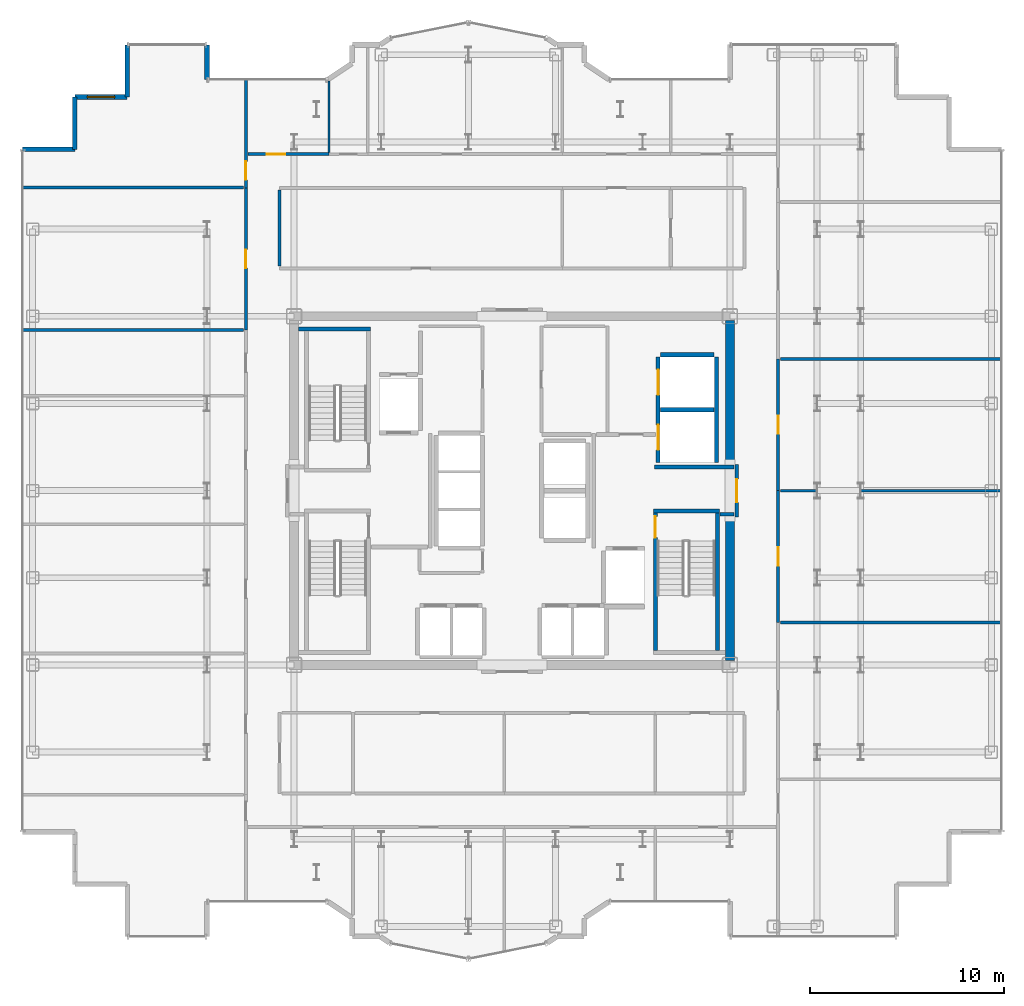
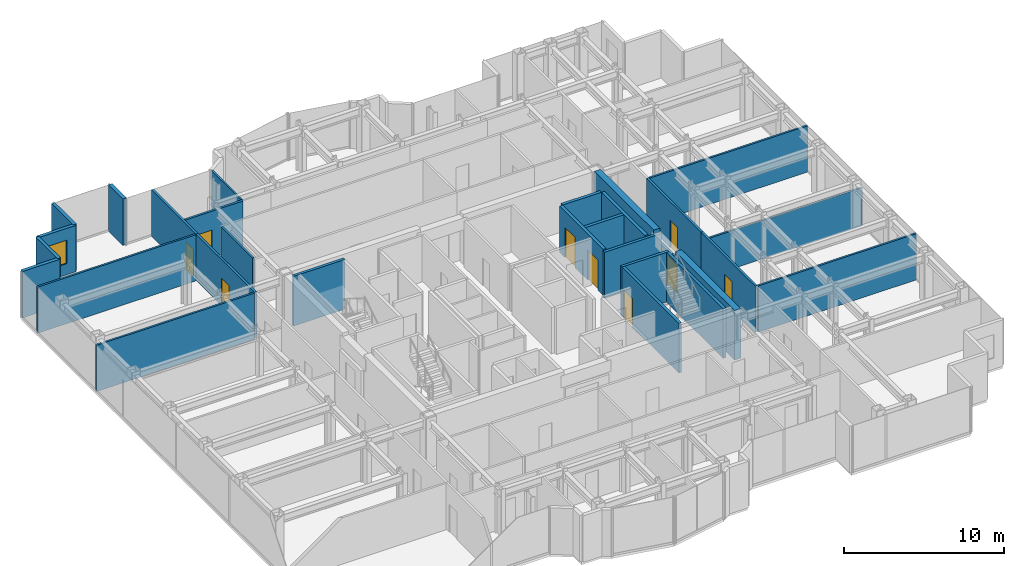
# One storey, part 17 of 20: 30 walls, 9 doors, 1 window, 10 openings.
"""IFC4 building model written with IfcOpenShell, lengths in metres."""

from ifc_helpers import new_model, si_unit, direction, frame, frame_2d, origin, place, context, subcontext, project, spatial, rectangle, extrude, source, transform, mapped, material, layer, layer_set, type_object, element, fill, save


model = new_model("IFC4")

# Units and contexts
model_context = context("Model", 3, precision=1e-05, world=origin(), true_north=direction((0.0, 1.0)))
body_context = subcontext(model_context, "Body", "Model", "MODEL_VIEW")
ifc_project = project(units=[si_unit("LENGTHUNIT", "METRE"), si_unit("AREAUNIT", "SQUARE_METRE"), si_unit("VOLUMEUNIT", "CUBIC_METRE"), si_unit("PLANEANGLEUNIT", "RADIAN"), si_unit("MASSUNIT", "GRAM", prefix="KILO")], contexts=[model_context])

# Site, building, storey
site_placement = place(None, origin())
site = spatial("IfcSite", under=ifc_project, at=site_placement, CompositionType="ELEMENT")
building_placement = place(site_placement, origin())
building = spatial("IfcBuilding", under=site, at=building_placement, Name="Nefas-Gora Pilgrimage Tower", CompositionType="ELEMENT")
storey_placement = place(building_placement, frame((0.0, 0.0, 214.199951171875)))
storey = spatial("IfcBuildingStorey", under=building, at=storey_placement, Name="L53", CompositionType="ELEMENT", Elevation=214.199951171875)

# Walls
ifc_material_1 = material(Name="Concrete C50/60", Category="concrete")
ifc_layer_1 = layer(ifc_material_1, 0.449951171875)
ifc_layer_set_1 = layer_set([ifc_layer_1], Name="Concrete C50/60")
wall_type_1 = type_object("IfcWallType", Name="SW-CORE-450", PredefinedType="SHEAR", material=ifc_layer_set_1)
shared_shape_1 = source(origin(), body_context, "Body", "SweptSolid", [
    extrude(rectangle(XDim=7.4248046875, YDim=0.449951171875, at=frame_2d((3.71240234375, 0.0))), origin(), (0.0, 0.0, 1.0), 3.800048828125),
])
for number, where, z_axis, x_axis, name in (
    (1, (11.25, -8.77490234375, 0.0), (0.0, 0.0, 1.0), (0.0, 1.0, 0.0), "L53 Core Shear Wall E-South"),
    (2, (11.25, 1.35009765625, 0.0), (0.0, 0.0, 1.0), (0.0, 1.0, 0.0), "L53 Core Shear Wall E-North"),
):
    element("IfcWall", number, at=place(storey_placement, frame(where, z_axis=z_axis, x_axis=x_axis)), inside=storey, type_object=wall_type_1, Name=name, PredefinedType="SHEAR", context=body_context, shape_type="MappedRepresentation", body=[
        mapped(shared_shape_1, transform((0.0, 0.0, 0.0), x_axis=(1.0, 0.0, 0.0), y_axis=(0.0, 1.0, 0.0), z_axis=(0.0, 0.0, 1.0), scale=1.0)),
    ])
ifc_material_2 = material(Name="Precast concrete C40/50", Category="concrete")
ifc_layer_2 = layer(ifc_material_2, 0.260009765625)
ifc_layer_set_2 = layer_set([ifc_layer_2], Name="Precast concrete C40/50")
wall_type_2 = type_object("IfcWallType", Name="EW-PORTAL-260", PredefinedType="SOLIDWALL", material=ifc_layer_set_2)
shared_shape_2 = source(origin(), body_context, "Body", "SweptSolid", [
    extrude(rectangle(XDim=1.800048828125, YDim=0.260009765625, at=frame_2d((0.89990234375, 0.0))), origin(), (0.0, 0.0, 1.0), 3.550048828125),
])
wall_1_placement = place(storey_placement, frame((-15.75, 21.219970703125, 0.0), z_axis=(0.0, 0.0, 1.0), x_axis=(0.0, 1.0, 0.0)))
element("IfcWall", 3, at=wall_1_placement, inside=storey, type_object=wall_type_2, Name="L53 Lobe Shoulder Precast Spandrel Pier 19", PredefinedType="SOLIDWALL", context=body_context, shape_type="MappedRepresentation", body=[
    mapped(shared_shape_2, transform((0.0, 0.0, 0.0), x_axis=(1.0, 0.0, 0.0), y_axis=(0.0, 1.0, 0.0), z_axis=(0.0, 0.0, 1.0), scale=1.0)),
])
ifc_material_3 = material(Name="Precast concrete C45/55", Category="concrete")
ifc_layer_3 = layer(ifc_material_3, 0.239990234375)
ifc_layer_set_3 = layer_set([ifc_layer_3], Name="Precast concrete C45/55")
wall_type_3 = type_object("IfcWallType", Name="EW-SERR-240", PredefinedType="SHEAR", material=ifc_layer_set_3)
shared_shape_3 = source(origin(), body_context, "Body", "SweptSolid", [
    extrude(rectangle(XDim=2.699951171875, YDim=0.239990234375, at=frame_2d((1.35009765625, 0.0))), origin(), (0.0, 0.0, 1.0), 3.550048828125),
])
wall_2_placement = place(storey_placement, frame((-19.8701171875, 23.02001953125, 0.0), z_axis=(0.0, 0.0, 1.0), x_axis=(0.0, -1.0, 0.0)))
element("IfcWall", 4, at=wall_2_placement, inside=storey, type_object=wall_type_3, Name="L53 Serrated Corner Shear Pier Wall 20", PredefinedType="SHEAR", context=body_context, shape_type="MappedRepresentation", body=[
    mapped(shared_shape_3, transform((0.0, 0.0, 0.0), x_axis=(1.0, 0.0, 0.0), y_axis=(0.0, 1.0, 0.0), z_axis=(0.0, 0.0, 1.0), scale=1.0)),
])

# Wall, opening, window
wall_3_placement = place(storey_placement, frame((-19.8701171875, 20.320068359375, 0.0), z_axis=(0.0, 0.0, 1.0), x_axis=(-1.0, 0.0, 0.0)))
wall_3 = element("IfcWall", 5, at=wall_3_placement, inside=storey, type_object=wall_type_3, Name="L53 Serrated Corner Shear Pier Wall 21", PredefinedType="SHEAR", context=body_context, shape_type="MappedRepresentation", body=[
    mapped(shared_shape_3, transform((0.0, 0.0, 0.0), x_axis=(1.0, 0.0, 0.0), y_axis=(0.0, 1.0, 0.0), z_axis=(0.0, 0.0, 1.0), scale=1.0)),
])
opening_1_placement = place(wall_3_placement, frame((0.64990234375, 0.0, 0.85009765625)))
opening_1 = element("IfcOpeningElement", 6, at=opening_1_placement, cuts=wall_3, Name="Opening W-V2", PredefinedType="OPENING", context=body_context, shape_type="SweptSolid", body=[
    extrude(rectangle(XDim=1.39990234375, YDim=1.800048828125, at=frame_2d((0.699951171875, 0.89990234375))), frame((0.0, 0.1298828125, 0.0), z_axis=(0.0, -1.0, 0.0), x_axis=(1.0, 0.0, 0.0)), (0.0, 0.0, 1.0), 0.260009765625),
])
ifc_material_4 = material(Name="Dark ceramic-fritted operable aluminium-glass window", Category="aluminium")
window_type = type_object("IfcWindowType", Name="WIN-VENT-1400x1800", PartitioningType="SINGLE_PANEL", PredefinedType="WINDOW", material=ifc_material_4)
shared_shape_4 = source(origin(), body_context, "Body", "SweptSolid", [
    extrude(rectangle(XDim=1.39990234375, YDim=1.800048828125, at=frame_2d((0.699951171875, 0.89990234375))), frame((0.0, 0.030029296875, 0.0), z_axis=(0.0, -1.0, 0.0), x_axis=(1.0, 0.0, 0.0)), (0.0, 0.0, 1.0), 0.06005859375),
])
window_placement = place(opening_1_placement, origin())
window = element("IfcWindow", 7, at=window_placement, inside=storey, type_object=window_type, Name="L53 Operable Parallel-Outswing Window 21", OverallHeight=1.800048828125, OverallWidth=1.39990234375, PartitioningType="SINGLE_PANEL", PredefinedType="WINDOW", context=body_context, shape_type="MappedRepresentation", body=[
    mapped(shared_shape_4, transform((0.0, 0.0, 0.0), x_axis=(1.0, 0.0, 0.0), y_axis=(0.0, 1.0, 0.0), z_axis=(0.0, 0.0, 1.0), scale=1.0)),
])
fill(opening_1, window)

# Walls
for number, where, z_axis, x_axis, name in (
    (8, (-22.570068359375, 20.320068359375, 0.0), (0.0, 0.0, 1.0), (0.0, -1.0, 0.0), "L53 Serrated Corner Shear Pier Wall 22"),
    (9, (-22.570068359375, 17.6201171875, 0.0), (0.0, 0.0, 1.0), (-1.0, 0.0, 0.0), "L53 Serrated Corner Shear Pier Wall 23"),
):
    element("IfcWall", number, at=place(storey_placement, frame(where, z_axis=z_axis, x_axis=x_axis)), inside=storey, type_object=wall_type_3, Name=name, PredefinedType="SHEAR", context=body_context, shape_type="MappedRepresentation", body=[
        mapped(shared_shape_3, transform((0.0, 0.0, 0.0), x_axis=(1.0, 0.0, 0.0), y_axis=(0.0, 1.0, 0.0), z_axis=(0.0, 0.0, 1.0), scale=1.0)),
    ])
ifc_material_5 = material(Name="Concrete C45/55", Category="concrete")
ifc_layer_4 = layer(ifc_material_5, 0.199951171875)
ifc_layer_set_4 = layer_set([ifc_layer_4], Name="Concrete C45/55")
wall_type_4 = type_object("IfcWallType", Name="IW-STAIR-200", PredefinedType="SOLIDWALL", material=ifc_layer_set_4)
shared_shape_5 = source(origin(), body_context, "Body", "SweptSolid", [
    extrude(rectangle(XDim=3.39990234375, YDim=0.199951171875, at=frame_2d((1.699951171875, 0.0))), origin(), (0.0, 0.0, 1.0), 3.800048828125),
])
wall_4_placement = place(storey_placement, frame((7.300048828125, -1.050048828125, 0.0), z_axis=(0.0, 0.0, 1.0), x_axis=(1.0, 0.0, 0.0)))
element("IfcWall", 10, at=wall_4_placement, inside=storey, type_object=wall_type_4, Name="L53 Stairwell Shear Wall ST-02-near", PredefinedType="SOLIDWALL", context=body_context, shape_type="MappedRepresentation", body=[
    mapped(shared_shape_5, transform((0.0, 0.0, 0.0), x_axis=(1.0, 0.0, 0.0), y_axis=(0.0, 1.0, 0.0), z_axis=(0.0, 0.0, 1.0), scale=1.0)),
])

# Wall, opening, door
shared_shape_6 = source(origin(), body_context, "Body", "SweptSolid", [
    extrude(rectangle(XDim=7.10009765625, YDim=0.199951171875, at=frame_2d((3.550048828125, 0.0))), origin(), (0.0, 0.0, 1.0), 3.800048828125),
])
wall_5_placement = place(storey_placement, frame((7.39990234375, -1.14990234375, 0.0), z_axis=(0.0, 0.0, 1.0), x_axis=(0.0, -1.0, 0.0)))
wall_5 = element("IfcWall", 11, at=wall_5_placement, inside=storey, type_object=wall_type_4, Name="L53 Stairwell Shear Wall ST-02-left", PredefinedType="SOLIDWALL", context=body_context, shape_type="MappedRepresentation", body=[
    mapped(shared_shape_6, transform((0.0, 0.0, 0.0), x_axis=(1.0, 0.0, 0.0), y_axis=(0.0, 1.0, 0.0), z_axis=(0.0, 0.0, 1.0), scale=1.0)),
])
opening_2_placement = place(wall_5_placement, frame((0.179931640625, 0.0, 0.0)))
opening_2 = element("IfcOpeningElement", 12, at=opening_2_placement, cuts=wall_5, Name="Opening ID-ST1", PredefinedType="OPENING", context=body_context, shape_type="SweptSolid", body=[
    extrude(rectangle(XDim=1.10009765625, YDim=2.14990234375, at=frame_2d((0.550048828125, 1.074951171875))), frame((0.0, 0.10986328125, 0.0), z_axis=(0.0, -1.0, 0.0), x_axis=(1.0, 0.0, 0.0)), (0.0, 0.0, 1.0), 0.219970703125),
])
ifc_material_6 = material(Name="Painted galvanised steel fire stair door", Category="steel")
door_type_1 = type_object("IfcDoorType", Name="DR-INT-STAIR-1100", OperationType="NOTDEFINED", PredefinedType="DOOR", material=ifc_material_6)
shared_shape_7 = source(origin(), body_context, "Body", "SweptSolid", [
    extrude(rectangle(XDim=1.10009765625, YDim=2.14990234375, at=frame_2d((0.550048828125, 1.074951171875))), frame((0.0, 0.02490234375, 0.0), z_axis=(0.0, -1.0, 0.0), x_axis=(1.0, 0.0, 0.0)), (0.0, 0.0, 1.0), 0.050048828125),
])
door_1_placement = place(opening_2_placement, origin())
door_1 = element("IfcDoor", 13, at=door_1_placement, inside=storey, type_object=door_type_1, Name="L53 Protected Exit Stair Door ST-02", OperationType="SINGLE_SWING_RIGHT", OverallHeight=2.14990234375, OverallWidth=1.10009765625, PredefinedType="DOOR", context=body_context, shape_type="MappedRepresentation", body=[
    mapped(shared_shape_7, transform((0.0, 0.0, 0.0), x_axis=(1.0, 0.0, 0.0), y_axis=(0.0, 1.0, 0.0), z_axis=(0.0, 0.0, 1.0), scale=1.0)),
])
fill(opening_2, door_1)

# Walls
wall_6_placement = place(storey_placement, frame((10.60009765625, -1.14990234375, 0.0), z_axis=(0.0, 0.0, 1.0), x_axis=(0.0, -1.0, 0.0)))
element("IfcWall", 14, at=wall_6_placement, inside=storey, type_object=wall_type_4, Name="L53 Stairwell Shear Wall ST-02-right", PredefinedType="SOLIDWALL", context=body_context, shape_type="MappedRepresentation", body=[
    mapped(shared_shape_6, transform((0.0, 0.0, 0.0), x_axis=(1.0, 0.0, 0.0), y_axis=(0.0, 1.0, 0.0), z_axis=(0.0, 0.0, 1.0), scale=1.0)),
])
shared_shape_8 = source(origin(), body_context, "Body", "SweptSolid", [
    extrude(rectangle(XDim=3.72998046875, YDim=0.199951171875, at=frame_2d((1.864990234375, 0.0))), origin(), (0.0, 0.0, 1.0), 3.800048828125),
])
wall_7_placement = place(storey_placement, frame((-7.300048828125, 8.35009765625, 0.0), z_axis=(0.0, 0.0, 1.0), x_axis=(-1.0, 0.0, 0.0)))
element("IfcWall", 15, at=wall_7_placement, inside=storey, type_object=wall_type_4, Name="L53 Stairwell Shear Wall ST-01-far", PredefinedType="SOLIDWALL", context=body_context, shape_type="MappedRepresentation", body=[
    mapped(shared_shape_8, transform((0.0, 0.0, 0.0), x_axis=(1.0, 0.0, 0.0), y_axis=(0.0, 1.0, 0.0), z_axis=(0.0, 0.0, 1.0), scale=1.0)),
])

# Wall, openings, doors
ifc_material_7 = material(Name="Concrete C40/50", Category="concrete")
ifc_layer_5 = layer(ifc_material_7, 0.219970703125)
ifc_layer_set_5 = layer_set([ifc_layer_5], Name="Concrete C40/50")
wall_type_5 = type_object("IfcWallType", Name="IW-SHAFT-220", PredefinedType="SOLIDWALL", material=ifc_layer_set_5)
shared_shape_9 = source(origin(), body_context, "Body", "SweptSolid", [
    extrude(rectangle(XDim=5.449951171875, YDim=0.219970703125, at=frame_2d((2.72509765625, 0.0))), origin(), (0.0, 0.0, 1.0), 3.53515625),
])
wall_8_placement = place(storey_placement, frame((7.5400390625, 6.89990234375, 0.0), z_axis=(0.0, 0.0, 1.0), x_axis=(0.0, -1.0, 0.0)))
wall_8 = element("IfcWall", 16, at=wall_8_placement, inside=storey, type_object=wall_type_5, Name="L53 Hoistway Wall SL-01-02-W", PredefinedType="SOLIDWALL", context=body_context, shape_type="MappedRepresentation", body=[
    mapped(shared_shape_9, transform((0.0, 0.0, 0.0), x_axis=(1.0, 0.0, 0.0), y_axis=(0.0, 1.0, 0.0), z_axis=(0.0, 0.0, 1.0), scale=1.0)),
])
opening_3_placement = place(wall_8_placement, frame((3.5, 0.0, 0.0)))
opening_3 = element("IfcOpeningElement", 17, at=opening_3_placement, cuts=wall_8, Name="Opening LD-SV", PredefinedType="OPENING", context=body_context, shape_type="SweptSolid", body=[
    extrude(rectangle(XDim=1.300048828125, YDim=2.300048828125, at=frame_2d((0.64990234375, 1.14990234375))), frame((0.0, 0.119873046875, 0.0), z_axis=(0.0, -1.0, 0.0), x_axis=(1.0, 0.0, 0.0)), (0.0, 0.0, 1.0), 0.239990234375),
])
opening_4_placement = place(wall_8_placement, frame((0.64990234375, 0.0, 0.0)))
opening_4 = element("IfcOpeningElement", 18, at=opening_4_placement, cuts=wall_8, Name="Opening LD-SV", PredefinedType="OPENING", context=body_context, shape_type="SweptSolid", body=[
    extrude(rectangle(XDim=1.300048828125, YDim=2.300048828125, at=frame_2d((0.64990234375, 1.14990234375))), frame((0.0, 0.119873046875, 0.0), z_axis=(0.0, -1.0, 0.0), x_axis=(1.0, 0.0, 0.0)), (0.0, 0.0, 1.0), 0.239990234375),
])
ifc_material_8 = material(Name="Heavy goods sliding lift landing door")
door_type_2 = type_object("IfcDoorType", Name="DR-LIFT-SERV-1300", OperationType="SLIDING_TO_RIGHT", PredefinedType="DOOR", material=ifc_material_8)
shared_shape_10 = source(origin(), body_context, "Body", "SweptSolid", [
    extrude(rectangle(XDim=1.300048828125, YDim=2.300048828125, at=frame_2d((0.64990234375, 1.14990234375))), frame((0.0, 0.02490234375, 0.0), z_axis=(0.0, -1.0, 0.0), x_axis=(1.0, 0.0, 0.0)), (0.0, 0.0, 1.0), 0.050048828125),
])
door_2_placement = place(opening_3_placement, origin())
door_2 = element("IfcDoor", 19, at=door_2_placement, inside=storey, type_object=door_type_2, Name="L53 Sliding Lift Landing Door SL-01", OperationType="SLIDING_TO_RIGHT", OverallHeight=2.300048828125, OverallWidth=1.300048828125, PredefinedType="DOOR", context=body_context, shape_type="MappedRepresentation", body=[
    mapped(shared_shape_10, transform((0.0, 0.0, 0.0), x_axis=(1.0, 0.0, 0.0), y_axis=(0.0, 1.0, 0.0), z_axis=(0.0, 0.0, 1.0), scale=1.0)),
])
fill(opening_3, door_2)
door_3_placement = place(opening_4_placement, origin())
door_3 = element("IfcDoor", 20, at=door_3_placement, inside=storey, type_object=door_type_2, Name="L53 Sliding Lift Landing Door SL-02", OperationType="SLIDING_TO_RIGHT", OverallHeight=2.300048828125, OverallWidth=1.300048828125, PredefinedType="DOOR", context=body_context, shape_type="MappedRepresentation", body=[
    mapped(shared_shape_10, transform((0.0, 0.0, 0.0), x_axis=(1.0, 0.0, 0.0), y_axis=(0.0, 1.0, 0.0), z_axis=(0.0, 0.0, 1.0), scale=1.0)),
])
fill(opening_4, door_3)

# Walls
wall_9_placement = place(storey_placement, frame((10.56005859375, 1.449951171875, 0.0), z_axis=(0.0, 0.0, 1.0), x_axis=(0.0, 1.0, 0.0)))
element("IfcWall", 21, at=wall_9_placement, inside=storey, type_object=wall_type_5, Name="L53 Hoistway Wall SL-01-02-E", PredefinedType="SOLIDWALL", context=body_context, shape_type="MappedRepresentation", body=[
    mapped(shared_shape_9, transform((0.0, 0.0, 0.0), x_axis=(1.0, 0.0, 0.0), y_axis=(0.0, 1.0, 0.0), z_axis=(0.0, 0.0, 1.0), scale=1.0)),
])
shared_shape_11 = source(origin(), body_context, "Body", "SweptSolid", [
    extrude(rectangle(XDim=2.780029296875, YDim=0.219970703125, at=frame_2d((1.39013671875, 0.0))), origin(), (0.0, 0.0, 1.0), 3.53515625),
])
for number, where, z_axis, x_axis, name in (
    (22, (7.659912109375, 4.175048828125, 0.0), (0.0, 0.0, 1.0), (1.0, 0.0, 0.0), "L53 Hoistway Wall SL-01-02-DIV"),
    (23, (10.43994140625, 7.010009765625, 0.0), (0.0, 0.0, 1.0), (-1.0, 0.0, 0.0), "L53 Hoistway Wall SL-02-N"),
):
    element("IfcWall", number, at=place(storey_placement, frame(where, z_axis=z_axis, x_axis=x_axis)), inside=storey, type_object=wall_type_5, Name=name, PredefinedType="SOLIDWALL", context=body_context, shape_type="MappedRepresentation", body=[
        mapped(shared_shape_11, transform((0.0, 0.0, 0.0), x_axis=(1.0, 0.0, 0.0), y_axis=(0.0, 1.0, 0.0), z_axis=(0.0, 0.0, 1.0), scale=1.0)),
    ])
ifc_material_9 = material(Name="Gypsum fire-rated shaftwall")
ifc_layer_6 = layer(ifc_material_9, 0.199951171875)
ifc_layer_set_6 = layer_set([ifc_layer_6], Name="Gypsum fire-rated shaftwall")
wall_type_6 = type_object("IfcWallType", Name="IW-FFLOB-200", PredefinedType="PARTITIONING", material=ifc_layer_set_6)
shared_shape_12 = source(origin(), body_context, "Body", "SweptSolid", [
    extrude(rectangle(XDim=0.719970703125, YDim=0.199951171875, at=frame_2d((0.35986328125, 0.0))), origin(), (0.0, 0.0, 1.0), 3.53515625),
])
wall_10_placement = place(storey_placement, frame((10.739990234375, -1.219970703125, 0.0), z_axis=(0.0, 0.0, 1.0), x_axis=(1.0, 0.0, 0.0)))
element("IfcWall", 24, at=wall_10_placement, inside=storey, type_object=wall_type_6, Name="L53 FF Lobby East Throat S Wall 14", PredefinedType="PARTITIONING", context=body_context, shape_type="MappedRepresentation", body=[
    mapped(shared_shape_12, transform((0.0, 0.0, 0.0), x_axis=(1.0, 0.0, 0.0), y_axis=(0.0, 1.0, 0.0), z_axis=(0.0, 0.0, 1.0), scale=1.0)),
])
shared_shape_13 = source(origin(), body_context, "Body", "SweptSolid", [
    extrude(rectangle(XDim=4.10986328125, YDim=0.199951171875, at=frame_2d((2.054931640625, 0.0))), origin(), (0.0, 0.0, 1.0), 3.53515625),
])
wall_11_placement = place(storey_placement, frame((7.35009765625, 1.219970703125, 0.0), z_axis=(0.0, 0.0, 1.0), x_axis=(1.0, 0.0, 0.0)))
element("IfcWall", 25, at=wall_11_placement, inside=storey, type_object=wall_type_6, Name="L53 FF Lobby East Throat N Wall 13", PredefinedType="PARTITIONING", context=body_context, shape_type="MappedRepresentation", body=[
    mapped(shared_shape_13, transform((0.0, 0.0, 0.0), x_axis=(1.0, 0.0, 0.0), y_axis=(0.0, 1.0, 0.0), z_axis=(0.0, 0.0, 1.0), scale=1.0)),
])
ifc_material_10 = material(Name="Moisture-resistant fire-rated gypsum partition")
ifc_layer_7 = layer(ifc_material_10, 0.1201171875)
ifc_layer_set_7 = layer_set([ifc_layer_7], Name="Moisture-resistant fire-rated gypsum partition")
wall_type_7 = type_object("IfcWallType", Name="IW-WET-120", PredefinedType="PLUMBINGWALL", material=ifc_layer_set_7)
shared_shape_14 = source(origin(), body_context, "Body", "SweptSolid", [
    extrude(rectangle(XDim=3.686767578125, YDim=0.1201171875, at=frame_2d((1.84326171875, 0.0))), origin(), (0.0, 0.0, 1.0), 3.53515625),
])
wall_12_placement = place(storey_placement, frame((-9.449951171875, 17.469970703125, 0.0), z_axis=(0.0, 0.0, 1.0), x_axis=(0.0, 1.0, 0.0)))
element("IfcWall", 26, at=wall_12_placement, inside=storey, type_object=wall_type_7, Name="L53 Accessible Unisex WC Partition Wall 27", PredefinedType="PLUMBINGWALL", context=body_context, shape_type="MappedRepresentation", body=[
    mapped(shared_shape_14, transform((0.0, 0.0, 0.0), x_axis=(1.0, 0.0, 0.0), y_axis=(0.0, 1.0, 0.0), z_axis=(0.0, 0.0, 1.0), scale=1.0)),
])
ifc_material_11 = material(Name="Gypsum twin-stud partition")
ifc_layer_8 = layer(ifc_material_11, 0.139892578125)
ifc_layer_set_8 = layer_set([ifc_layer_8], Name="Gypsum twin-stud partition")
wall_type_8 = type_object("IfcWallType", Name="IW-UNIT-140", PredefinedType="PARTITIONING", material=ifc_layer_set_8)
shared_shape_15 = source(origin(), body_context, "Body", "SweptSolid", [
    extrude(rectangle(XDim=11.429931640625, YDim=0.139892578125, at=frame_2d((5.71484375, 0.0))), origin(), (0.0, 0.0, 1.0), 3.53515625),
])
for number, where, z_axis, x_axis, name in (
    (27, (-25.2900390625, 8.294921875, 0.0), (0.0, 0.0, 1.0), (1.0, 0.0, 0.0), "L53 Pastoral Chaplains Counselling Office Partition Wall 37"),
    (28, (-25.2900390625, 15.6474609375, 0.0), (0.0, 0.0, 1.0), (1.0, 0.0, 0.0), "L53 Pilgrim Fellowship Seminar Room Partition Wall 39"),
    (29, (13.860107421875, -6.804931640625, 0.0), (0.0, 0.0, 1.0), (1.0, 0.0, 0.0), "L53 Pilgrim Fellowship Seminar Room Partition Wall 44"),
    (30, (13.860107421875, 6.794921875, 0.0), (0.0, 0.0, 1.0), (1.0, 0.0, 0.0), "L53 Pilgrim Contemplative Lounge Partition Wall 48"),
):
    element("IfcWall", number, at=place(storey_placement, frame(where, z_axis=z_axis, x_axis=x_axis)), inside=storey, type_object=wall_type_8, Name=name, PredefinedType="PARTITIONING", context=body_context, shape_type="MappedRepresentation", body=[
        mapped(shared_shape_15, transform((0.0, 0.0, 0.0), x_axis=(1.0, 0.0, 0.0), y_axis=(0.0, 1.0, 0.0), z_axis=(0.0, 0.0, 1.0), scale=1.0)),
    ])
shared_shape_16 = source(origin(), body_context, "Body", "SweptSolid", [
    extrude(rectangle(XDim=3.929931640625, YDim=0.139892578125, at=frame_2d((1.96484375, 0.0))), origin(), (0.0, 0.0, 1.0), 3.53515625),
])
wall_13_placement = place(storey_placement, frame((-12.0, 11.590087890625, 0.0), z_axis=(0.0, 0.0, 1.0), x_axis=(0.0, 1.0, 0.0)))
element("IfcWall", 31, at=wall_13_placement, inside=storey, type_object=wall_type_8, Name="L53 Pilgrim Contemplative Lounge Partition Wall 54", PredefinedType="PARTITIONING", context=body_context, shape_type="MappedRepresentation", body=[
    mapped(shared_shape_16, transform((0.0, 0.0, 0.0), x_axis=(1.0, 0.0, 0.0), y_axis=(0.0, 1.0, 0.0), z_axis=(0.0, 0.0, 1.0), scale=1.0)),
])

# Wall, opening, door
ifc_material_12 = material(Name="Gypsum acoustic stud partition")
ifc_layer_9 = layer(ifc_material_12, 0.159912109375)
ifc_layer_set_9 = layer_set([ifc_layer_9], Name="Gypsum acoustic stud partition")
wall_type_9 = type_object("IfcWallType", Name="IW-CORR-160", PredefinedType="PARTITIONING", material=ifc_layer_set_9)
shared_shape_17 = source(origin(), body_context, "Body", "SweptSolid", [
    extrude(rectangle(XDim=4.16015625, YDim=0.159912109375, at=frame_2d((2.080078125, 0.0))), origin(), (0.0, 0.0, 1.0), 3.53515625),
])
wall_14_placement = place(storey_placement, frame((-13.6201171875, 17.3701171875, 0.0), z_axis=(0.0, 0.0, 1.0), x_axis=(1.0, 0.0, 0.0)))
wall_14 = element("IfcWall", 32, at=wall_14_placement, inside=storey, type_object=wall_type_9, Name="L53 Pilgrim Contemplative Lounge Partition Wall 58", PredefinedType="PARTITIONING", context=body_context, shape_type="MappedRepresentation", body=[
    mapped(shared_shape_17, transform((0.0, 0.0, 0.0), x_axis=(1.0, 0.0, 0.0), y_axis=(0.0, 1.0, 0.0), z_axis=(0.0, 0.0, 1.0), scale=1.0)),
])
opening_5_placement = place(wall_14_placement, frame((0.968994140625, 0.0, 0.0)))
opening_5 = element("IfcOpeningElement", 33, at=opening_5_placement, cuts=wall_14, Name="Opening ID-GR1", PredefinedType="OPENING", context=body_context, shape_type="SweptSolid", body=[
    extrude(rectangle(XDim=0.949951171875, YDim=2.10009765625, at=frame_2d((0.47509765625, 1.050048828125))), frame((0.0, 0.08984375, 0.0), z_axis=(0.0, -1.0, 0.0), x_axis=(1.0, 0.0, 0.0)), (0.0, 0.0, 1.0), 0.179931640625),
])
ifc_material_13 = material(Name="Solid core oak fire-rated guest entrance door")
door_type_3 = type_object("IfcDoorType", Name="DR-INT-GUEST-950", OperationType="NOTDEFINED", PredefinedType="DOOR", material=ifc_material_13)
shared_shape_18 = source(origin(), body_context, "Body", "SweptSolid", [
    extrude(rectangle(XDim=0.949951171875, YDim=2.10009765625, at=frame_2d((0.47509765625, 1.050048828125))), frame((0.0, 0.02490234375, 0.0), z_axis=(0.0, -1.0, 0.0), x_axis=(1.0, 0.0, 0.0)), (0.0, 0.0, 1.0), 0.050048828125),
])
door_4_placement = place(opening_5_placement, origin())
door_4 = element("IfcDoor", 34, at=door_4_placement, inside=storey, type_object=door_type_3, Name="L53 Pilgrim Contemplative Lounge Door 26", OperationType="SINGLE_SWING_RIGHT", OverallHeight=2.10009765625, OverallWidth=0.949951171875, PredefinedType="DOOR", context=body_context, shape_type="MappedRepresentation", body=[
    mapped(shared_shape_18, transform((0.0, 0.0, 0.0), x_axis=(1.0, 0.0, 0.0), y_axis=(0.0, 1.0, 0.0), z_axis=(0.0, 0.0, 1.0), scale=1.0)),
])
fill(opening_5, door_4)

shared_shape_19 = source(origin(), body_context, "Body", "SweptSolid", [
    extrude(rectangle(XDim=6.809814453125, YDim=0.159912109375, at=frame_2d((3.40478515625, 0.0))), origin(), (0.0, 0.0, 1.0), 3.53515625),
])
wall_15_placement = place(storey_placement, frame((13.739990234375, -6.804931640625, 0.0), z_axis=(0.0, 0.0, 1.0), x_axis=(0.0, 1.0, 0.0)))
wall_15 = element("IfcWall", 35, at=wall_15_placement, inside=storey, type_object=wall_type_9, Name="L53 Pilgrim Contemplative Lounge Partition Wall 45", PredefinedType="PARTITIONING", context=body_context, shape_type="MappedRepresentation", body=[
    mapped(shared_shape_19, transform((0.0, 0.0, 0.0), x_axis=(1.0, 0.0, 0.0), y_axis=(0.0, 1.0, 0.0), z_axis=(0.0, 0.0, 1.0), scale=1.0)),
])
opening_6_placement = place(wall_15_placement, frame((2.929931640625, 0.0, 0.0)))
opening_6 = element("IfcOpeningElement", 36, at=opening_6_placement, cuts=wall_15, Name="Opening ID-GR1", PredefinedType="OPENING", context=body_context, shape_type="SweptSolid", body=[
    extrude(rectangle(XDim=0.949951171875, YDim=2.10009765625, at=frame_2d((0.47509765625, 1.050048828125))), frame((0.0, 0.08984375, 0.0), z_axis=(0.0, -1.0, 0.0), x_axis=(1.0, 0.0, 0.0)), (0.0, 0.0, 1.0), 0.179931640625),
])
door_5_placement = place(opening_6_placement, origin())
door_5 = element("IfcDoor", 37, at=door_5_placement, inside=storey, type_object=door_type_3, Name="L53 Pilgrim Contemplative Lounge Door 20", OperationType="SINGLE_SWING_RIGHT", OverallHeight=2.10009765625, OverallWidth=0.949951171875, PredefinedType="DOOR", context=body_context, shape_type="MappedRepresentation", body=[
    mapped(shared_shape_18, transform((0.0, 0.0, 0.0), x_axis=(1.0, 0.0, 0.0), y_axis=(0.0, 1.0, 0.0), z_axis=(0.0, 0.0, 1.0), scale=1.0)),
])
fill(opening_6, door_5)

wall_16_placement = place(storey_placement, frame((13.739990234375, -0.0048828125, 0.0), z_axis=(0.0, 0.0, 1.0), x_axis=(0.0, 1.0, 0.0)))
wall_16 = element("IfcWall", 38, at=wall_16_placement, inside=storey, type_object=wall_type_9, Name="L53 Pilgrim Contemplative Lounge Partition Wall 47", PredefinedType="PARTITIONING", context=body_context, shape_type="MappedRepresentation", body=[
    mapped(shared_shape_19, transform((0.0, 0.0, 0.0), x_axis=(1.0, 0.0, 0.0), y_axis=(0.0, 1.0, 0.0), z_axis=(0.0, 0.0, 1.0), scale=1.0)),
])
opening_7_placement = place(wall_16_placement, frame((2.929931640625, 0.0, 0.0)))
opening_7 = element("IfcOpeningElement", 39, at=opening_7_placement, cuts=wall_16, Name="Opening ID-GR1", PredefinedType="OPENING", context=body_context, shape_type="SweptSolid", body=[
    extrude(rectangle(XDim=0.949951171875, YDim=2.10009765625, at=frame_2d((0.47509765625, 1.050048828125))), frame((0.0, 0.08984375, 0.0), z_axis=(0.0, -1.0, 0.0), x_axis=(1.0, 0.0, 0.0)), (0.0, 0.0, 1.0), 0.179931640625),
])
door_6_placement = place(opening_7_placement, origin())
door_6 = element("IfcDoor", 40, at=door_6_placement, inside=storey, type_object=door_type_3, Name="L53 Pilgrim Contemplative Lounge Door 21", OperationType="SINGLE_SWING_LEFT", OverallHeight=2.10009765625, OverallWidth=0.949951171875, PredefinedType="DOOR", context=body_context, shape_type="MappedRepresentation", body=[
    mapped(shared_shape_18, transform((0.0, 0.0, 0.0), x_axis=(1.0, 0.0, 0.0), y_axis=(0.0, 1.0, 0.0), z_axis=(0.0, 0.0, 1.0), scale=1.0)),
])
fill(opening_7, door_6)

shared_shape_20 = source(origin(), body_context, "Body", "SweptSolid", [
    extrude(rectangle(XDim=2.7001953125, YDim=0.199951171875, at=frame_2d((1.35009765625, 0.0))), origin(), (0.0, 0.0, 1.0), 2.625),
])
wall_17_placement = place(storey_placement, frame((11.60009765625, -1.35009765625, 0.0), z_axis=(0.0, 0.0, 1.0), x_axis=(0.0, 1.0, 0.0)))
wall_17 = element("IfcWall", 41, at=wall_17_placement, inside=storey, type_object=wall_type_6, Name="L53 FF Lobby East Portal Wall 9", PredefinedType="PARTITIONING", context=body_context, shape_type="MappedRepresentation", body=[
    mapped(shared_shape_20, transform((0.0, 0.0, 0.0), x_axis=(1.0, 0.0, 0.0), y_axis=(0.0, 1.0, 0.0), z_axis=(0.0, 0.0, 1.0), scale=1.0)),
])
opening_8_placement = place(wall_17_placement, frame((0.75, 0.0, 0.0)))
opening_8 = element("IfcOpeningElement", 42, at=opening_8_placement, cuts=wall_17, Name="Opening ID-FF1", PredefinedType="OPENING", context=body_context, shape_type="SweptSolid", body=[
    extrude(rectangle(XDim=1.199951171875, YDim=2.14990234375, at=frame_2d((0.60009765625, 1.074951171875))), frame((0.0, 0.10986328125, 0.0), z_axis=(0.0, -1.0, 0.0), x_axis=(1.0, 0.0, 0.0)), (0.0, 0.0, 1.0), 0.219970703125),
])
ifc_material_14 = material(Name="Smoke-sealed steel firefighting lobby door", Category="steel")
door_type_4 = type_object("IfcDoorType", Name="DR-INT-FFLOB-1200", OperationType="NOTDEFINED", PredefinedType="DOOR", material=ifc_material_14)
shared_shape_21 = source(origin(), body_context, "Body", "SweptSolid", [
    extrude(rectangle(XDim=1.199951171875, YDim=2.14990234375, at=frame_2d((0.60009765625, 1.074951171875))), frame((0.0, 0.02490234375, 0.0), z_axis=(0.0, -1.0, 0.0), x_axis=(1.0, 0.0, 0.0)), (0.0, 0.0, 1.0), 0.050048828125),
])
door_7_placement = place(opening_8_placement, origin())
door_7 = element("IfcDoor", 43, at=door_7_placement, inside=storey, type_object=door_type_4, Name="L53 FF Lobby East Portal Door 3", OperationType="SINGLE_SWING_LEFT", OverallHeight=2.14990234375, OverallWidth=1.199951171875, PredefinedType="DOOR", context=body_context, shape_type="MappedRepresentation", body=[
    mapped(shared_shape_21, transform((0.0, 0.0, 0.0), x_axis=(1.0, 0.0, 0.0), y_axis=(0.0, 1.0, 0.0), z_axis=(0.0, 0.0, 1.0), scale=1.0)),
])
fill(opening_8, door_7)

# Wall
shared_shape_22 = source(origin(), body_context, "Body", "SweptSolid", [
    extrude(rectangle(XDim=11.429931640625, YDim=0.139892578125, at=frame_2d((5.71484375, 0.0))), origin(), (0.0, 0.0, 1.0), 2.925048828125),
])
wall_18_placement = place(storey_placement, frame((13.860107421875, -0.0048828125, 0.0), z_axis=(0.0, 0.0, 1.0), x_axis=(1.0, 0.0, 0.0)))
element("IfcWall", 44, at=wall_18_placement, inside=storey, type_object=wall_type_8, Name="L53 Pilgrim Contemplative Lounge Partition Wall 46", PredefinedType="PARTITIONING", context=body_context, shape_type="MappedRepresentation", body=[
    mapped(shared_shape_22, transform((0.0, 0.0, 0.0), x_axis=(1.0, 0.0, 0.0), y_axis=(0.0, 1.0, 0.0), z_axis=(0.0, 0.0, 1.0), scale=1.0)),
])

# Wall, opening, door
shared_shape_23 = source(origin(), body_context, "Body", "SweptSolid", [
    extrude(rectangle(XDim=5.6025390625, YDim=0.159912109375, at=frame_2d((2.80126953125, 0.0))), origin(), (0.0, 0.0, 1.0), 3.53515625),
])
wall_19_placement = place(storey_placement, frame((-13.739990234375, 15.637451171875, 0.0), z_axis=(0.0, 0.0, 1.0), x_axis=(0.0, 1.0, 0.0)))
wall_19 = element("IfcWall", 45, at=wall_19_placement, inside=storey, type_object=wall_type_9, Name="L53 Pilgrim Fellowship Seminar Room Partition Wall 38", PredefinedType="PARTITIONING", context=body_context, shape_type="MappedRepresentation", body=[
    mapped(shared_shape_23, transform((0.0, 0.0, 0.0), x_axis=(1.0, 0.0, 0.0), y_axis=(0.0, 1.0, 0.0), z_axis=(0.0, 0.0, 1.0), scale=1.0)),
])
opening_9_placement = place(wall_19_placement, frame((0.411376953125, 0.0, 0.0)))
opening_9 = element("IfcOpeningElement", 46, at=opening_9_placement, cuts=wall_19, Name="Opening ID-GR1", PredefinedType="OPENING", context=body_context, shape_type="SweptSolid", body=[
    extrude(rectangle(XDim=0.949951171875, YDim=2.10009765625, at=frame_2d((0.47509765625, 1.050048828125))), frame((0.0, 0.08984375, 0.0), z_axis=(0.0, -1.0, 0.0), x_axis=(1.0, 0.0, 0.0)), (0.0, 0.0, 1.0), 0.179931640625),
])
door_8_placement = place(opening_9_placement, origin())
door_8 = element("IfcDoor", 47, at=door_8_placement, inside=storey, type_object=door_type_3, Name="L53 Pilgrim Fellowship Seminar Room Door 16", OperationType="SINGLE_SWING_RIGHT", OverallHeight=2.10009765625, OverallWidth=0.949951171875, PredefinedType="DOOR", context=body_context, shape_type="MappedRepresentation", body=[
    mapped(shared_shape_18, transform((0.0, 0.0, 0.0), x_axis=(1.0, 0.0, 0.0), y_axis=(0.0, 1.0, 0.0), z_axis=(0.0, 0.0, 1.0), scale=1.0)),
])
fill(opening_9, door_8)

shared_shape_24 = source(origin(), body_context, "Body", "SweptSolid", [
    extrude(rectangle(XDim=7.342529296875, YDim=0.159912109375, at=frame_2d((3.67138671875, 0.0))), origin(), (0.0, 0.0, 1.0), 3.53515625),
])
wall_20_placement = place(storey_placement, frame((-13.739990234375, 8.294921875, 0.0), z_axis=(0.0, 0.0, 1.0), x_axis=(0.0, 1.0, 0.0)))
wall_20 = element("IfcWall", 48, at=wall_20_placement, inside=storey, type_object=wall_type_9, Name="L53 Pilgrim Fellowship Seminar Room Partition Wall 40", PredefinedType="PARTITIONING", context=body_context, shape_type="MappedRepresentation", body=[
    mapped(shared_shape_24, transform((0.0, 0.0, 0.0), x_axis=(1.0, 0.0, 0.0), y_axis=(0.0, 1.0, 0.0), z_axis=(0.0, 0.0, 1.0), scale=1.0)),
])
opening_10_placement = place(wall_20_placement, frame((3.1962890625, 0.0, 0.0)))
opening_10 = element("IfcOpeningElement", 49, at=opening_10_placement, cuts=wall_20, Name="Opening ID-GR1", PredefinedType="OPENING", context=body_context, shape_type="SweptSolid", body=[
    extrude(rectangle(XDim=0.949951171875, YDim=2.10009765625, at=frame_2d((0.47509765625, 1.050048828125))), frame((0.0, 0.08984375, 0.0), z_axis=(0.0, -1.0, 0.0), x_axis=(1.0, 0.0, 0.0)), (0.0, 0.0, 1.0), 0.179931640625),
])
door_9_placement = place(opening_10_placement, origin())
door_9 = element("IfcDoor", 50, at=door_9_placement, inside=storey, type_object=door_type_3, Name="L53 Pilgrim Fellowship Seminar Room Door 17", OperationType="SINGLE_SWING_LEFT", OverallHeight=2.10009765625, OverallWidth=0.949951171875, PredefinedType="DOOR", context=body_context, shape_type="MappedRepresentation", body=[
    mapped(shared_shape_18, transform((0.0, 0.0, 0.0), x_axis=(1.0, 0.0, 0.0), y_axis=(0.0, 1.0, 0.0), z_axis=(0.0, 0.0, 1.0), scale=1.0)),
])
fill(opening_10, door_9)

save(model, "model.ifc")
